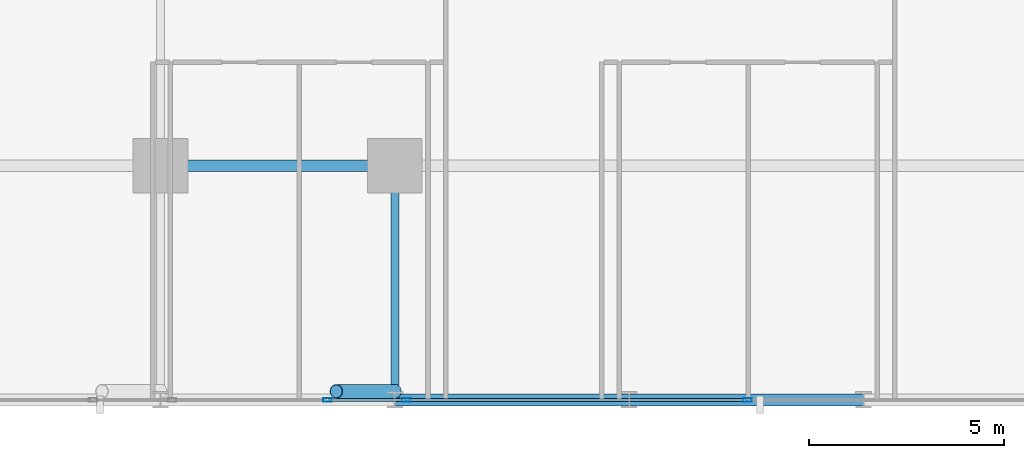
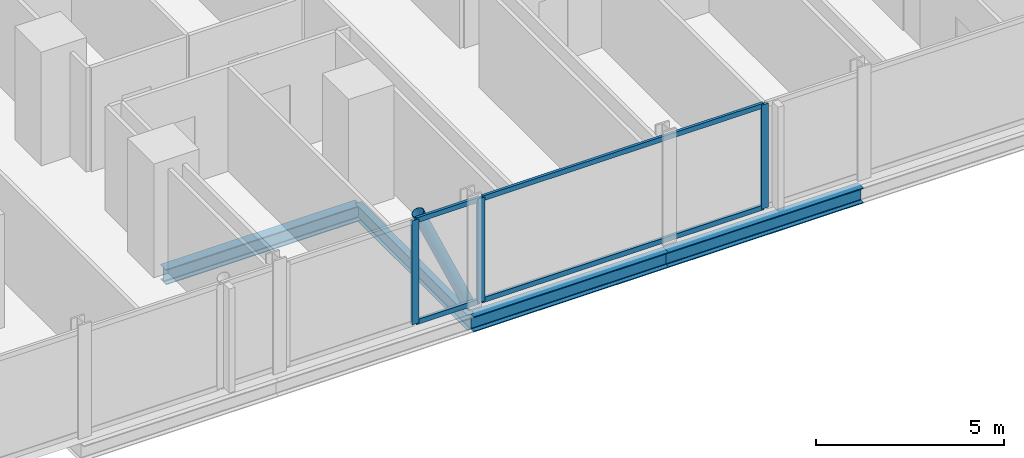
# One storey, part 7 of 34: 8 members, 4 beams, 2 elements without a shape of their own.
"""IFC4 building model written with IfcOpenShell, lengths in metres."""

from ifc_helpers import new_model, si_unit, direction, frame, origin, origin_2d, place, context, subcontext, project, spatial, hollow_rectangle, hollow_circle, i_section, extrude, material, layer, layer_set, material_profile, profile_set, type_object, element, aggregate, save


model = new_model("IFC4")

# Units and contexts
model_context = context("Model", 3, precision=1e-05, world=origin(), true_north=direction((0.0, 1.0)))
body_context = subcontext(model_context, "Body", "Model", "MODEL_VIEW")
ifc_project = project(units=[si_unit("LENGTHUNIT", "METRE"), si_unit("AREAUNIT", "SQUARE_METRE"), si_unit("VOLUMEUNIT", "CUBIC_METRE"), si_unit("PLANEANGLEUNIT", "RADIAN"), si_unit("MASSUNIT", "GRAM", prefix="KILO")], contexts=[model_context])

# Site, building, storey
site_placement = place(None, origin())
site = spatial("IfcSite", under=ifc_project, at=site_placement, CompositionType="ELEMENT")
building_placement = place(site_placement, origin())
building = spatial("IfcBuilding", under=site, at=building_placement, Name="Keshet Zoharim Tower", CompositionType="ELEMENT")
storey_placement = place(building_placement, frame((0.0, 0.0, 46.199951171875)))
storey = spatial("IfcBuildingStorey", under=building, at=storey_placement, Name="L10", CompositionType="ELEMENT", Elevation=46.199951171875)

# Beams
ifc_material_1 = material(Name="Steel S355", Category="steel")
ifc_material_profile_1 = material_profile(ifc_material_1, i_section(OverallWidth=0.199951171875, OverallDepth=0.5, WebThickness=0.01025390625, FlangeThickness=0.01611328125, FilletRadius=0.02099609375, at=origin_2d()), Name="IPE500")
ifc_profile_set_1 = profile_set([ifc_material_profile_1], Name="Steel S355")
beam_type_1 = type_object("IfcBeamType", Name="BM-PRI-IP500", PredefinedType="BEAM", material=ifc_profile_set_1)
beam_placement = place(storey_placement, frame((39.0, 0.699951171875, -0.56494140625), z_axis=(0.0, 1.0, 0.0), x_axis=(-1.0, 0.0, 0.0)))
element("IfcBeam", 1, at=beam_placement, inside=storey, type_object=beam_type_1, Name="L10 Primary Girder Y-012", PredefinedType="BEAM", context=body_context, shape_type="SweptSolid", body=[
    extrude(i_section(OverallWidth=0.199951171875, OverallDepth=0.5, WebThickness=0.01025390625, FlangeThickness=0.01611328125, FilletRadius=0.02099609375, at=origin_2d()), origin(), (0.0, 0.0, 1.0), 6.0),
])
ifc_material_profile_2 = material_profile(ifc_material_1, i_section(OverallWidth=0.300048828125, OverallDepth=0.5, WebThickness=0.014404296875, FlangeThickness=0.028076171875, FilletRadius=0.027099609375, at=origin_2d()), Name="HEB500")
ifc_profile_set_2 = profile_set([ifc_material_profile_2], Name="Steel S355")
beam_type_2 = type_object("IfcBeamType", Name="BM-WEB-HB500", PredefinedType="BEAM", material=ifc_profile_set_2)
for number, where, z_axis, x_axis, name in (
    (2, (39.0, 0.699951171875, -0.56494140625), (1.0, 0.0, 0.0), (0.0, 1.0, 0.0), "L10 Primary Girder X-003"),
    (3, (45.0, 0.699951171875, -0.56494140625), (1.0, 0.0, 0.0), (0.0, 1.0, 0.0), "L10 Primary Girder X-004"),
    (4, (33.0, 6.699951171875, -0.56494140625), (1.0, 0.0, 0.0), (0.0, 1.0, 0.0), "L10 Primary Girder X-008"),
):
    element("IfcBeam", number, at=place(storey_placement, frame(where, z_axis=z_axis, x_axis=x_axis)), inside=storey, type_object=beam_type_2, Name=name, PredefinedType="BEAM", context=body_context, shape_type="SweptSolid", body=[
        extrude(i_section(OverallWidth=0.300048828125, OverallDepth=0.5, WebThickness=0.014404296875, FlangeThickness=0.028076171875, FilletRadius=0.027099609375, at=origin_2d()), origin(), (0.0, 0.0, 1.0), 6.0),
    ])

# Curtain wall, members
ifc_material_2 = material(Name="Aluminium 6063-T6", Category="aluminium")
ifc_layer = layer(ifc_material_2, 0.179931640625)
ifc_layer_set = layer_set([ifc_layer], Name="Aluminium 6063-T6")
curtain_wall_type = type_object("IfcCurtainWallType", Name="CW-SYS-01", PredefinedType="NOTDEFINED", material=ifc_layer_set)
curtain_wall_1_placement = place(storey_placement, origin())
curtain_wall_1 = element("IfcCurtainWall", 5, at=curtain_wall_1_placement, inside=storey, type_object=curtain_wall_type, Name="L10 Unitised Curtain Wall 26", PredefinedType="NOTDEFINED")
ifc_material_profile_3 = material_profile(ifc_material_2, hollow_rectangle(XDim=0.090087890625, YDim=0.219970703125, WallThickness=0.0048828125, at=origin_2d()), Name="MUL-90x220")
ifc_profile_set_3 = profile_set([ifc_material_profile_3], Name="Aluminium 6063-T6")
member_type_1 = type_object("IfcMemberType", Name="CWM-M22", PredefinedType="MULLION", material=ifc_profile_set_3)
member_1_placement = place(storey_placement, frame((48.03271484375, 0.699951171875, 0.0), z_axis=(0.0, 0.0, 1.0), x_axis=(0.0, -1.0, 0.0)))
member_1 = element("IfcMember", 6, at=member_1_placement, type_object=member_type_1, Name="CW-01 mullion 2", PredefinedType="MULLION", context=body_context, shape_type="SweptSolid", body=[
    extrude(hollow_rectangle(XDim=0.090087890625, YDim=0.219970703125, WallThickness=0.0048828125, at=origin_2d()), origin(), (0.0, 0.0, 1.0), 3.385009765625),
])
member_2_placement = place(storey_placement, frame((39.297607421875, 0.699951171875, 0.0), z_axis=(0.0, 0.0, 1.0), x_axis=(0.0, -1.0, 0.0)))
member_2 = element("IfcMember", 7, at=member_2_placement, type_object=member_type_1, Name="CW-01 mullion 3", PredefinedType="MULLION", context=body_context, shape_type="SweptSolid", body=[
    extrude(hollow_rectangle(XDim=0.090087890625, YDim=0.219970703125, WallThickness=0.0048828125, at=origin_2d()), origin(), (0.0, 0.0, 1.0), 3.385009765625),
])

# Curtain wall, member
curtain_wall_2_placement = place(storey_placement, origin())
curtain_wall_2 = element("IfcCurtainWall", 8, at=curtain_wall_2_placement, inside=storey, type_object=curtain_wall_type, Name="L10 Unitised Curtain Wall 26 Part 2", PredefinedType="NOTDEFINED")
member_3_placement = place(storey_placement, frame((37.2724609375, 0.699951171875, 0.0), z_axis=(0.0, 0.0, 1.0), x_axis=(0.0, -1.0, 0.0)))
member_3 = element("IfcMember", 9, at=member_3_placement, type_object=member_type_1, Name="CW-01 mullion 2", PredefinedType="MULLION", context=body_context, shape_type="SweptSolid", body=[
    extrude(hollow_rectangle(XDim=0.090087890625, YDim=0.219970703125, WallThickness=0.0048828125, at=origin_2d()), origin(), (0.0, 0.0, 1.0), 3.385009765625),
])

# Member
ifc_material_profile_4 = material_profile(ifc_material_2, hollow_rectangle(XDim=0.0849609375, YDim=0.159912109375, WallThickness=0.00439453125, at=origin_2d()), Name="TRN-85x160")
ifc_profile_set_4 = profile_set([ifc_material_profile_4], Name="Aluminium 6063-T6")
member_type_2 = type_object("IfcMemberType", Name="CWT-T16", PredefinedType="USERDEFINED", material=ifc_profile_set_4)
member_4_placement = place(storey_placement, frame((47.997802734375, 0.699951171875, 0.03515625), z_axis=(-1.0, 0.0, 0.0), x_axis=(0.0, -1.0, 0.0)))
member_4 = element("IfcMember", 10, at=member_4_placement, type_object=member_type_2, Name="CW-01 transom 2.1", ObjectType="TRANSOM", PredefinedType="USERDEFINED", context=body_context, shape_type="SweptSolid", body=[
    extrude(hollow_rectangle(XDim=0.0849609375, YDim=0.159912109375, WallThickness=0.00439453125, at=origin_2d()), origin(), (0.0, 0.0, 1.0), 8.665283203125),
])

member_5_placement = place(storey_placement, frame((47.997802734375, 0.699951171875, 3.35009765625), z_axis=(-1.0, 0.0, 0.0), x_axis=(0.0, -1.0, 0.0)))
member_5 = element("IfcMember", 11, at=member_5_placement, type_object=member_type_2, Name="CW-01 transom 2.2", ObjectType="TRANSOM", PredefinedType="USERDEFINED", context=body_context, shape_type="SweptSolid", body=[
    extrude(hollow_rectangle(XDim=0.0849609375, YDim=0.159912109375, WallThickness=0.00439453125, at=origin_2d()), origin(), (0.0, 0.0, 1.0), 8.665283203125),
])

aggregate(curtain_wall_1, [member_1, member_2, member_4, member_5])

member_6_placement = place(storey_placement, frame((39.2626953125, 0.699951171875, 0.03515625), z_axis=(-1.0, 0.0, 0.0), x_axis=(0.0, -1.0, 0.0)))
member_6 = element("IfcMember", 12, at=member_6_placement, type_object=member_type_2, Name="CW-01 transom 1.1", ObjectType="TRANSOM", PredefinedType="USERDEFINED", context=body_context, shape_type="SweptSolid", body=[
    extrude(hollow_rectangle(XDim=0.0849609375, YDim=0.159912109375, WallThickness=0.00439453125, at=origin_2d()), origin(), (0.0, 0.0, 1.0), 1.955322265625),
])

member_7_placement = place(storey_placement, frame((39.2626953125, 0.699951171875, 3.35009765625), z_axis=(-1.0, 0.0, 0.0), x_axis=(0.0, -1.0, 0.0)))
member_7 = element("IfcMember", 13, at=member_7_placement, type_object=member_type_2, Name="CW-01 transom 1.2", ObjectType="TRANSOM", PredefinedType="USERDEFINED", context=body_context, shape_type="SweptSolid", body=[
    extrude(hollow_rectangle(XDim=0.0849609375, YDim=0.159912109375, WallThickness=0.00439453125, at=origin_2d()), origin(), (0.0, 0.0, 1.0), 1.955322265625),
])

aggregate(curtain_wall_2, [member_3, member_6, member_7])

ifc_material_profile_5 = material_profile(ifc_material_1, hollow_circle(Radius=0.177734375, WallThickness=0.012451171875, at=origin_2d()), Name="CHS355x12.5")
ifc_profile_set_5 = profile_set([ifc_material_profile_5], Name="Steel S355")
member_type_3 = type_object("IfcMemberType", Name="MB-BR-C355", PredefinedType="BRACE", material=ifc_profile_set_5)
member_8_placement = place(storey_placement, frame((39.0, 0.919921875, 0.0), z_axis=(-0.405134846829, 0.0, 0.91425694194), x_axis=(0.0, -1.0, 0.0)))
element("IfcMember", 14, at=member_8_placement, inside=storey, type_object=member_type_3, Name="L10 Perimeter Tube Brace 03", PredefinedType="BRACE", context=body_context, shape_type="SweptSolid", body=[
    extrude(hollow_circle(Radius=0.177734375, WallThickness=0.012451171875, at=origin_2d()), origin(), (0.0, 0.0, 1.0), 3.702392578125),
])

save(model, "model.ifc")
